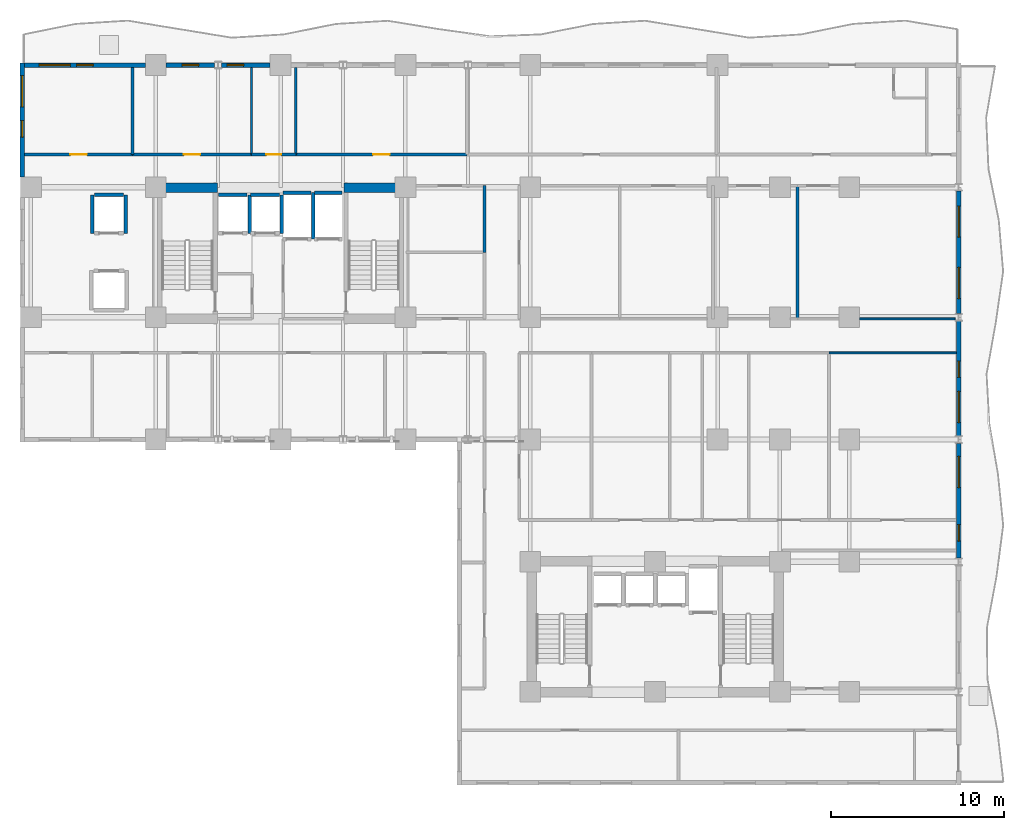
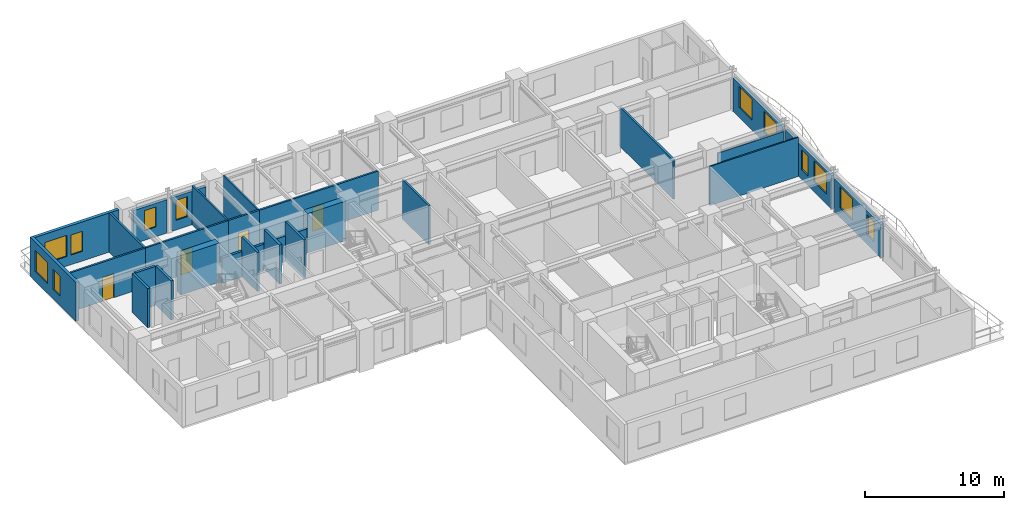
# One storey, part 6 of 11: 30 walls, 12 windows, 4 doors, 16 openings.
"""IFC4 building model written with IfcOpenShell, lengths in metres."""

from ifc_helpers import new_model, si_unit, direction, frame, frame_2d, origin, place, context, subcontext, project, spatial, rectangle, extrude, material, layer, layer_set, type_object, element, fill, save


model = new_model("IFC4")

# Units and contexts
model_context = context("Model", 3, precision=1e-05, world=origin(), true_north=direction((0.0, 1.0)))
body_context = subcontext(model_context, "Body", "Model", "MODEL_VIEW")
ifc_project = project(units=[si_unit("LENGTHUNIT", "METRE"), si_unit("AREAUNIT", "SQUARE_METRE"), si_unit("VOLUMEUNIT", "CUBIC_METRE"), si_unit("PLANEANGLEUNIT", "RADIAN"), si_unit("MASSUNIT", "GRAM", prefix="KILO")], contexts=[model_context])

# Site, building, storey
site_placement = place(None, origin())
site = spatial("IfcSite", under=ifc_project, at=site_placement, CompositionType="ELEMENT")
building_placement = place(site_placement, origin())
building = spatial("IfcBuilding", under=site, at=building_placement, Name="Kaliganga Portal Commons", CompositionType="ELEMENT")
storey_placement = place(building_placement, frame((0.0, 0.0, 89.699951171875)))
storey = spatial("IfcBuildingStorey", under=building, at=storey_placement, Name="L22", CompositionType="ELEMENT", Elevation=89.699951171875)

# Walls
ifc_material_1 = material(Name="Concrete C60/75", Category="concrete")
ifc_layer_1 = layer(ifc_material_1, 0.550048828125)
ifc_layer_set_1 = layer_set([ifc_layer_1], Name="Concrete C60/75")
wall_type_1 = type_object("IfcWallType", Name="WL-CORE-550", PredefinedType="SHEAR", material=ifc_layer_set_1)
for number, where, z_axis, x_axis, name in (
    (1, (14.75, 36.125, 0.0), (0.0, 0.0, 1.0), (1.0, 0.0, 0.0), "Core A N-West Shear Wall L22"),
    (2, (25.25, 36.125, 0.0), (0.0, 0.0, 1.0), (1.0, 0.0, 0.0), "Core A N-East Shear Wall L22"),
):
    element("IfcWall", number, at=place(storey_placement, frame(where, z_axis=z_axis, x_axis=x_axis)), inside=storey, type_object=wall_type_1, Name=name, PredefinedType="SHEAR", context=body_context, shape_type="SweptSolid", body=[
        extrude(rectangle(XDim=3.199951171875, YDim=0.550048828125, at=frame_2d((1.60009765625, 0.0))), origin(), (0.0, 0.0, 1.0), 3.449951171875),
    ])

# Wall, openings, windows
ifc_material_2 = material(Name="Insulated Aluminium-Clad Spandrel Assembly", Category="aluminium")
ifc_layer_2 = layer(ifc_material_2, 0.260009765625)
ifc_layer_set_2 = layer_set([ifc_layer_2], Name="Insulated Aluminium-Clad Spandrel Assembly")
wall_type_2 = type_object("IfcWallType", Name="WL-EXT-SPAND-260", PredefinedType="STANDARD", material=ifc_layer_set_2)
wall_1_placement = place(storey_placement, frame((60.699951171875, 21.384033203125, 0.0), z_axis=(0.0, 0.0, 1.0), x_axis=(0.0, -1.0, 0.0)))
wall_1 = element("IfcWall", 3, at=wall_1_placement, inside=storey, type_object=wall_type_2, Name="Exterior Envelope Wall L22 P1-E01-S3", PredefinedType="STANDARD", context=body_context, shape_type="SweptSolid", body=[
    extrude(rectangle(XDim=6.617919921875, YDim=0.260009765625, at=frame_2d((3.30908203125, 0.0))), origin(), (0.0, 0.0, 1.0), 2.929931640625),
])
opening_1_placement = place(wall_1_placement, frame((0.75439453125, 0.0, 0.85009765625)))
opening_1 = element("IfcOpeningElement", 4, at=opening_1_placement, cuts=wall_1, Name="Opening W-01", PredefinedType="OPENING", context=body_context, shape_type="SweptSolid", body=[
    extrude(rectangle(XDim=1.800048828125, YDim=1.85009765625, at=frame_2d((0.89990234375, 0.925048828125))), frame((0.0, 0.14013671875, 0.0), z_axis=(0.0, -1.0, 0.0), x_axis=(1.0, 0.0, 0.0)), (0.0, 0.0, 1.0), 0.280029296875),
])
opening_2_placement = place(wall_1_placement, frame((4.68701171875, 0.0, 0.85009765625)))
opening_2 = element("IfcOpeningElement", 5, at=opening_2_placement, cuts=wall_1, Name="Opening W-04", PredefinedType="OPENING", context=body_context, shape_type="SweptSolid", body=[
    extrude(rectangle(XDim=0.949951171875, YDim=1.75, at=frame_2d((0.47509765625, 0.875))), frame((0.0, 0.14013671875, 0.0), z_axis=(0.0, -1.0, 0.0), x_axis=(1.0, 0.0, 0.0)), (0.0, 0.0, 1.0), 0.280029296875),
])
ifc_material_3 = material(Name="Thermally Broken Aluminium and Low-E Double Glazing", Category="aluminium")
window_type_1 = type_object("IfcWindowType", Name="WIN-NARROW-950", PartitioningType="SINGLE_PANEL", PredefinedType="WINDOW", material=ifc_material_3)
window_1_placement = place(opening_2_placement, origin())
window_1 = element("IfcWindow", 6, at=window_1_placement, inside=storey, type_object=window_type_1, Name="Facade Window L22-P1E01S3-N10", OverallHeight=1.75, OverallWidth=0.949951171875, PartitioningType="SINGLE_PANEL", PredefinedType="WINDOW", context=body_context, shape_type="SweptSolid", body=[
    extrude(rectangle(XDim=0.949951171875, YDim=1.75, at=frame_2d((0.47509765625, 0.875))), frame((0.0, 0.030029296875, 0.0), z_axis=(0.0, -1.0, 0.0), x_axis=(1.0, 0.0, 0.0)), (0.0, 0.0, 1.0), 0.06005859375),
])
fill(opening_2, window_1)
window_type_2 = type_object("IfcWindowType", Name="WIN-STD-1800", PartitioningType="DOUBLE_PANEL_VERTICAL", PredefinedType="WINDOW", material=ifc_material_3)
window_2_placement = place(opening_1_placement, origin())
window_2 = element("IfcWindow", 7, at=window_2_placement, inside=storey, type_object=window_type_2, Name="Facade Window L22-P1E01S3-00", OverallHeight=1.85009765625, OverallWidth=1.800048828125, PartitioningType="SINGLE_PANEL", PredefinedType="WINDOW", context=body_context, shape_type="SweptSolid", body=[
    extrude(rectangle(XDim=1.800048828125, YDim=1.85009765625, at=frame_2d((0.89990234375, 0.925048828125))), frame((0.0, 0.030029296875, 0.0), z_axis=(0.0, -1.0, 0.0), x_axis=(1.0, 0.0, 0.0)), (0.0, 0.0, 1.0), 0.06005859375),
])
fill(opening_1, window_2)

wall_2_placement = place(storey_placement, frame((60.699951171875, 28.43408203125, 0.0), z_axis=(0.0, 0.0, 1.0), x_axis=(0.0, -1.0, 0.0)))
wall_2 = element("IfcWall", 8, at=wall_2_placement, inside=storey, type_object=wall_type_2, Name="Exterior Envelope Wall L22 P1-E01-S4", PredefinedType="STANDARD", context=body_context, shape_type="SweptSolid", body=[
    extrude(rectangle(XDim=6.6181640625, YDim=0.260009765625, at=frame_2d((3.30908203125, 0.0))), origin(), (0.0, 0.0, 1.0), 2.929931640625),
])
opening_3_placement = place(wall_2_placement, frame((4.0634765625, 0.0, 0.85009765625)))
opening_3 = element("IfcOpeningElement", 9, at=opening_3_placement, cuts=wall_2, Name="Opening W-01", PredefinedType="OPENING", context=body_context, shape_type="SweptSolid", body=[
    extrude(rectangle(XDim=1.800048828125, YDim=1.85009765625, at=frame_2d((0.89990234375, 0.925048828125))), frame((0.0, 0.14013671875, 0.0), z_axis=(0.0, -1.0, 0.0), x_axis=(1.0, 0.0, 0.0)), (0.0, 0.0, 1.0), 0.280029296875),
])
opening_4_placement = place(wall_2_placement, frame((2.3046875, 0.0, 0.85009765625)))
opening_4 = element("IfcOpeningElement", 10, at=opening_4_placement, cuts=wall_2, Name="Opening W-04", PredefinedType="OPENING", context=body_context, shape_type="SweptSolid", body=[
    extrude(rectangle(XDim=0.949951171875, YDim=1.75, at=frame_2d((0.47509765625, 0.875))), frame((0.0, 0.14013671875, 0.0), z_axis=(0.0, -1.0, 0.0), x_axis=(1.0, 0.0, 0.0)), (0.0, 0.0, 1.0), 0.280029296875),
])
window_3_placement = place(opening_4_placement, origin())
window_3 = element("IfcWindow", 11, at=window_3_placement, inside=storey, type_object=window_type_1, Name="Facade Window L22-P1E01S4-N5", OverallHeight=1.75, OverallWidth=0.949951171875, PartitioningType="SINGLE_PANEL", PredefinedType="WINDOW", context=body_context, shape_type="SweptSolid", body=[
    extrude(rectangle(XDim=0.949951171875, YDim=1.75, at=frame_2d((0.47509765625, 0.875))), frame((0.0, 0.030029296875, 0.0), z_axis=(0.0, -1.0, 0.0), x_axis=(1.0, 0.0, 0.0)), (0.0, 0.0, 1.0), 0.06005859375),
])
fill(opening_4, window_3)
window_4_placement = place(opening_3_placement, origin())
window_4 = element("IfcWindow", 12, at=window_4_placement, inside=storey, type_object=window_type_2, Name="Facade Window L22-P1E01S4-01", OverallHeight=1.85009765625, OverallWidth=1.800048828125, PartitioningType="SINGLE_PANEL", PredefinedType="WINDOW", context=body_context, shape_type="SweptSolid", body=[
    extrude(rectangle(XDim=1.800048828125, YDim=1.85009765625, at=frame_2d((0.89990234375, 0.925048828125))), frame((0.0, 0.030029296875, 0.0), z_axis=(0.0, -1.0, 0.0), x_axis=(1.0, 0.0, 0.0)), (0.0, 0.0, 1.0), 0.06005859375),
])
fill(opening_3, window_4)

wall_3_placement = place(storey_placement, frame((60.699951171875, 35.93408203125, 0.0), z_axis=(0.0, 0.0, 1.0), x_axis=(0.0, -1.0, 0.0)))
wall_3 = element("IfcWall", 13, at=wall_3_placement, inside=storey, type_object=wall_type_2, Name="Exterior Envelope Wall L22 P1-E01-S5", PredefinedType="STANDARD", context=body_context, shape_type="SweptSolid", body=[
    extrude(rectangle(XDim=7.068115234375, YDim=0.260009765625, at=frame_2d((3.5341796875, 0.0))), origin(), (0.0, 0.0, 1.0), 2.929931640625),
])
opening_5_placement = place(wall_3_placement, frame((0.866943359375, 0.0, 0.85009765625)))
opening_5 = element("IfcOpeningElement", 14, at=opening_5_placement, cuts=wall_3, Name="Opening W-01", PredefinedType="OPENING", context=body_context, shape_type="SweptSolid", body=[
    extrude(rectangle(XDim=1.800048828125, YDim=1.85009765625, at=frame_2d((0.89990234375, 0.925048828125))), frame((0.0, 0.14013671875, 0.0), z_axis=(0.0, -1.0, 0.0), x_axis=(1.0, 0.0, 0.0)), (0.0, 0.0, 1.0), 0.280029296875),
])
opening_6_placement = place(wall_3_placement, frame((4.40087890625, 0.0, 0.85009765625)))
opening_6 = element("IfcOpeningElement", 15, at=opening_6_placement, cuts=wall_3, Name="Opening W-01", PredefinedType="OPENING", context=body_context, shape_type="SweptSolid", body=[
    extrude(rectangle(XDim=1.800048828125, YDim=1.85009765625, at=frame_2d((0.89990234375, 0.925048828125))), frame((0.0, 0.14013671875, 0.0), z_axis=(0.0, -1.0, 0.0), x_axis=(1.0, 0.0, 0.0)), (0.0, 0.0, 1.0), 0.280029296875),
])
window_5_placement = place(opening_5_placement, origin())
window_5 = element("IfcWindow", 16, at=window_5_placement, inside=storey, type_object=window_type_2, Name="Facade Window L22-P1E01S5-00", OverallHeight=1.85009765625, OverallWidth=1.800048828125, PartitioningType="SINGLE_PANEL", PredefinedType="WINDOW", context=body_context, shape_type="SweptSolid", body=[
    extrude(rectangle(XDim=1.800048828125, YDim=1.85009765625, at=frame_2d((0.89990234375, 0.925048828125))), frame((0.0, 0.030029296875, 0.0), z_axis=(0.0, -1.0, 0.0), x_axis=(1.0, 0.0, 0.0)), (0.0, 0.0, 1.0), 0.06005859375),
])
fill(opening_5, window_5)
window_6_placement = place(opening_6_placement, origin())
window_6 = element("IfcWindow", 17, at=window_6_placement, inside=storey, type_object=window_type_2, Name="Facade Window L22-P1E01S5-01", OverallHeight=1.85009765625, OverallWidth=1.800048828125, PartitioningType="SINGLE_PANEL", PredefinedType="WINDOW", context=body_context, shape_type="SweptSolid", body=[
    extrude(rectangle(XDim=1.800048828125, YDim=1.85009765625, at=frame_2d((0.89990234375, 0.925048828125))), frame((0.0, 0.030029296875, 0.0), z_axis=(0.0, -1.0, 0.0), x_axis=(1.0, 0.0, 0.0)), (0.0, 0.0, 1.0), 0.06005859375),
])
fill(opening_6, window_6)

# Wall, opening, window
wall_4_placement = place(storey_placement, frame((18.20556640625, 43.199951171875, 0.0), z_axis=(0.0, 0.0, 1.0), x_axis=(1.0, 0.0, 0.0)))
wall_4 = element("IfcWall", 18, at=wall_4_placement, inside=storey, type_object=wall_type_2, Name="Exterior Envelope Wall L22 P1-E02-S7", PredefinedType="STANDARD", context=body_context, shape_type="SweptSolid", body=[
    extrude(rectangle(XDim=2.79345703125, YDim=0.260009765625, at=frame_2d((1.396728515625, 0.0))), origin(), (0.0, 0.0, 1.0), 2.929931640625),
])
opening_7_placement = place(wall_4_placement, frame((0.30712890625, 0.0, 0.85009765625)))
opening_7 = element("IfcOpeningElement", 19, at=opening_7_placement, cuts=wall_4, Name="Opening W-04", PredefinedType="OPENING", context=body_context, shape_type="SweptSolid", body=[
    extrude(rectangle(XDim=0.949951171875, YDim=1.75, at=frame_2d((0.47509765625, 0.875))), frame((0.0, 0.14013671875, 0.0), z_axis=(0.0, -1.0, 0.0), x_axis=(1.0, 0.0, 0.0)), (0.0, 0.0, 1.0), 0.280029296875),
])
window_7_placement = place(opening_7_placement, origin())
window_7 = element("IfcWindow", 20, at=window_7_placement, inside=storey, type_object=window_type_1, Name="Facade Window L22-P1E02S7-N3", OverallHeight=1.75, OverallWidth=0.949951171875, PartitioningType="SINGLE_PANEL", PredefinedType="WINDOW", context=body_context, shape_type="SweptSolid", body=[
    extrude(rectangle(XDim=0.949951171875, YDim=1.75, at=frame_2d((0.47509765625, 0.875))), frame((0.0, 0.030029296875, 0.0), z_axis=(0.0, -1.0, 0.0), x_axis=(1.0, 0.0, 0.0)), (0.0, 0.0, 1.0), 0.06005859375),
])
fill(opening_7, window_7)

wall_5_placement = place(storey_placement, frame((15.0009765625, 43.199951171875, 0.0), z_axis=(0.0, 0.0, 1.0), x_axis=(1.0, 0.0, 0.0)))
wall_5 = element("IfcWall", 21, at=wall_5_placement, inside=storey, type_object=wall_type_2, Name="Exterior Envelope Wall L22 P1-E02-S8", PredefinedType="STANDARD", context=body_context, shape_type="SweptSolid", body=[
    extrude(rectangle(XDim=2.79345703125, YDim=0.260009765625, at=frame_2d((1.396728515625, 0.0))), origin(), (0.0, 0.0, 1.0), 2.929931640625),
])
opening_8_placement = place(wall_5_placement, frame((0.921630859375, 0.0, 0.85009765625)))
opening_8 = element("IfcOpeningElement", 22, at=opening_8_placement, cuts=wall_5, Name="Opening W-04", PredefinedType="OPENING", context=body_context, shape_type="SweptSolid", body=[
    extrude(rectangle(XDim=0.949951171875, YDim=1.75, at=frame_2d((0.47509765625, 0.875))), frame((0.0, 0.14013671875, 0.0), z_axis=(0.0, -1.0, 0.0), x_axis=(1.0, 0.0, 0.0)), (0.0, 0.0, 1.0), 0.280029296875),
])
window_8_placement = place(opening_8_placement, origin())
window_8 = element("IfcWindow", 23, at=window_8_placement, inside=storey, type_object=window_type_1, Name="Facade Window L22-P1E02S8-00", OverallHeight=1.75, OverallWidth=0.949951171875, PartitioningType="SINGLE_PANEL", PredefinedType="WINDOW", context=body_context, shape_type="SweptSolid", body=[
    extrude(rectangle(XDim=0.949951171875, YDim=1.75, at=frame_2d((0.47509765625, 0.875))), frame((0.0, 0.030029296875, 0.0), z_axis=(0.0, -1.0, 0.0), x_axis=(1.0, 0.0, 0.0)), (0.0, 0.0, 1.0), 0.06005859375),
])
fill(opening_8, window_8)

# Wall, openings, windows
wall_6_placement = place(storey_placement, frame((6.8349609375, 43.199951171875, 0.0), z_axis=(0.0, 0.0, 1.0), x_axis=(1.0, 0.0, 0.0)))
wall_6 = element("IfcWall", 24, at=wall_6_placement, inside=storey, type_object=wall_type_2, Name="Exterior Envelope Wall L22 P1-E02-S9", PredefinedType="STANDARD", context=body_context, shape_type="SweptSolid", body=[
    extrude(rectangle(XDim=6.964111328125, YDim=0.260009765625, at=frame_2d((3.48193359375, 0.0))), origin(), (0.0, 0.0, 1.0), 3.429931640625),
])
opening_9_placement = place(wall_6_placement, frame((0.841064453125, 0.0, 0.85009765625)))
opening_9 = element("IfcOpeningElement", 25, at=opening_9_placement, cuts=wall_6, Name="Opening W-01", PredefinedType="OPENING", context=body_context, shape_type="SweptSolid", body=[
    extrude(rectangle(XDim=1.800048828125, YDim=1.85009765625, at=frame_2d((0.89990234375, 0.925048828125))), frame((0.0, 0.14013671875, 0.0), z_axis=(0.0, -1.0, 0.0), x_axis=(1.0, 0.0, 0.0)), (0.0, 0.0, 1.0), 0.280029296875),
])
opening_10_placement = place(wall_6_placement, frame((3.007080078125, 0.0, 0.85009765625)))
opening_10 = element("IfcOpeningElement", 26, at=opening_10_placement, cuts=wall_6, Name="Opening W-04", PredefinedType="OPENING", context=body_context, shape_type="SweptSolid", body=[
    extrude(rectangle(XDim=0.949951171875, YDim=1.75, at=frame_2d((0.47509765625, 0.875))), frame((0.0, 0.14013671875, 0.0), z_axis=(0.0, -1.0, 0.0), x_axis=(1.0, 0.0, 0.0)), (0.0, 0.0, 1.0), 0.280029296875),
])
window_9_placement = place(opening_10_placement, origin())
window_9 = element("IfcWindow", 27, at=window_9_placement, inside=storey, type_object=window_type_1, Name="Facade Window L22-P1E02S9-N0", OverallHeight=1.75, OverallWidth=0.949951171875, PartitioningType="SINGLE_PANEL", PredefinedType="WINDOW", context=body_context, shape_type="SweptSolid", body=[
    extrude(rectangle(XDim=0.949951171875, YDim=1.75, at=frame_2d((0.47509765625, 0.875))), frame((0.0, 0.030029296875, 0.0), z_axis=(0.0, -1.0, 0.0), x_axis=(1.0, 0.0, 0.0)), (0.0, 0.0, 1.0), 0.06005859375),
])
fill(opening_10, window_9)
window_10_placement = place(opening_9_placement, origin())
window_10 = element("IfcWindow", 28, at=window_10_placement, inside=storey, type_object=window_type_2, Name="Facade Window L22-P1E02S9-00", OverallHeight=1.85009765625, OverallWidth=1.800048828125, PartitioningType="SINGLE_PANEL", PredefinedType="WINDOW", context=body_context, shape_type="SweptSolid", body=[
    extrude(rectangle(XDim=1.800048828125, YDim=1.85009765625, at=frame_2d((0.89990234375, 0.925048828125))), frame((0.0, 0.030029296875, 0.0), z_axis=(0.0, -1.0, 0.0), x_axis=(1.0, 0.0, 0.0)), (0.0, 0.0, 1.0), 0.06005859375),
])
fill(opening_9, window_10)

wall_7_placement = place(storey_placement, frame((6.699951171875, 36.7509765625, 0.0), z_axis=(0.0, 0.0, 1.0), x_axis=(0.0, 1.0, 0.0)))
wall_7 = element("IfcWall", 29, at=wall_7_placement, inside=storey, type_object=wall_type_2, Name="Exterior Envelope Wall L22 P1-E03-S1", PredefinedType="STANDARD", context=body_context, shape_type="SweptSolid", body=[
    extrude(rectangle(XDim=6.5791015625, YDim=0.260009765625, at=frame_2d((3.28955078125, 0.0))), origin(), (0.0, 0.0, 1.0), 3.429931640625),
])
opening_11_placement = place(wall_7_placement, frame((4.0341796875, 0.0, 0.85009765625)))
opening_11 = element("IfcOpeningElement", 30, at=opening_11_placement, cuts=wall_7, Name="Opening W-01", PredefinedType="OPENING", context=body_context, shape_type="SweptSolid", body=[
    extrude(rectangle(XDim=1.800048828125, YDim=1.85009765625, at=frame_2d((0.89990234375, 0.925048828125))), frame((0.0, 0.14013671875, 0.0), z_axis=(0.0, -1.0, 0.0), x_axis=(1.0, 0.0, 0.0)), (0.0, 0.0, 1.0), 0.280029296875),
])
opening_12_placement = place(wall_7_placement, frame((2.2880859375, 0.0, 0.85009765625)))
opening_12 = element("IfcOpeningElement", 31, at=opening_12_placement, cuts=wall_7, Name="Opening W-04", PredefinedType="OPENING", context=body_context, shape_type="SweptSolid", body=[
    extrude(rectangle(XDim=0.949951171875, YDim=1.75, at=frame_2d((0.47509765625, 0.875))), frame((0.0, 0.14013671875, 0.0), z_axis=(0.0, -1.0, 0.0), x_axis=(1.0, 0.0, 0.0)), (0.0, 0.0, 1.0), 0.280029296875),
])
window_11_placement = place(opening_12_placement, origin())
window_11 = element("IfcWindow", 32, at=window_11_placement, inside=storey, type_object=window_type_1, Name="Facade Window L22-P1E03S1-N5", OverallHeight=1.75, OverallWidth=0.949951171875, PartitioningType="SINGLE_PANEL", PredefinedType="WINDOW", context=body_context, shape_type="SweptSolid", body=[
    extrude(rectangle(XDim=0.949951171875, YDim=1.75, at=frame_2d((0.47509765625, 0.875))), frame((0.0, 0.030029296875, 0.0), z_axis=(0.0, -1.0, 0.0), x_axis=(1.0, 0.0, 0.0)), (0.0, 0.0, 1.0), 0.06005859375),
])
fill(opening_12, window_11)
window_12_placement = place(opening_11_placement, origin())
window_12 = element("IfcWindow", 33, at=window_12_placement, inside=storey, type_object=window_type_2, Name="Facade Window L22-P1E03S1-01", OverallHeight=1.85009765625, OverallWidth=1.800048828125, PartitioningType="SINGLE_PANEL", PredefinedType="WINDOW", context=body_context, shape_type="SweptSolid", body=[
    extrude(rectangle(XDim=1.800048828125, YDim=1.85009765625, at=frame_2d((0.89990234375, 0.925048828125))), frame((0.0, 0.030029296875, 0.0), z_axis=(0.0, -1.0, 0.0), x_axis=(1.0, 0.0, 0.0)), (0.0, 0.0, 1.0), 0.06005859375),
])
fill(opening_11, window_12)

# Wall, opening, door
ifc_material_4 = material(Name="Fire-Rated Gypsum Board on Steel Stud", Category="steel")
ifc_layer_3 = layer(ifc_material_4, 0.14990234375)
ifc_layer_set_3 = layer_set([ifc_layer_3], Name="Fire-Rated Gypsum Board on Steel Stud")
wall_type_3 = type_object("IfcWallType", Name="WL-PART-CORR-150", PredefinedType="PARTITIONING", material=ifc_layer_set_3)
wall_8_placement = place(storey_placement, frame((22.47998046875, 38.0400390625, 0.0), z_axis=(0.0, 0.0, 1.0), x_axis=(1.0, 0.0, 0.0)))
wall_8 = element("IfcWall", 34, at=wall_8_placement, inside=storey, type_object=wall_type_3, Name="Interior Partition L22-012", PredefinedType="PARTITIONING", context=body_context, shape_type="SweptSolid", body=[
    extrude(rectangle(XDim=9.860107421875, YDim=0.14990234375, at=frame_2d((4.93017578125, 0.0))), origin(), (0.0, 0.0, 1.0), 3.429931640625),
])
opening_13_placement = place(wall_8_placement, frame((4.455078125, 0.0, 0.0)))
opening_13 = element("IfcOpeningElement", 35, at=opening_13_placement, cuts=wall_8, Name="Opening UD-01", PredefinedType="OPENING", context=body_context, shape_type="SweptSolid", body=[
    extrude(rectangle(XDim=0.949951171875, YDim=2.10009765625, at=frame_2d((0.47509765625, 1.050048828125))), frame((0.0, 0.0849609375, 0.0), z_axis=(0.0, -1.0, 0.0), x_axis=(1.0, 0.0, 0.0)), (0.0, 0.0, 1.0), 0.169921875),
])
ifc_material_5 = material(Name="Solid-Core Timber Acoustic Fire Door", Category="wood")
door_type_1 = type_object("IfcDoorType", Name="DR-UNIT-950", OperationType="NOTDEFINED", PredefinedType="DOOR", material=ifc_material_5)
door_1_placement = place(opening_13_placement, origin())
door_1 = element("IfcDoor", 36, at=door_1_placement, inside=storey, type_object=door_type_1, Name="Interior Door L22-AN04", OperationType="SINGLE_SWING_RIGHT", OverallHeight=2.10009765625, OverallWidth=0.949951171875, PredefinedType="DOOR", context=body_context, shape_type="SweptSolid", body=[
    extrude(rectangle(XDim=0.949951171875, YDim=2.10009765625, at=frame_2d((0.47509765625, 1.050048828125))), frame((0.0, 0.02490234375, 0.0), z_axis=(0.0, -1.0, 0.0), x_axis=(1.0, 0.0, 0.0)), (0.0, 0.0, 1.0), 0.050048828125),
])
fill(opening_13, door_1)

wall_9_placement = place(storey_placement, frame((13.06005859375, 38.0400390625, 0.0), z_axis=(0.0, 0.0, 1.0), x_axis=(1.0, 0.0, 0.0)))
wall_9 = element("IfcWall", 37, at=wall_9_placement, inside=storey, type_object=wall_type_3, Name="Interior Partition L22-020", PredefinedType="PARTITIONING", context=body_context, shape_type="SweptSolid", body=[
    extrude(rectangle(XDim=6.85986328125, YDim=0.14990234375, at=frame_2d((3.429931640625, 0.0))), origin(), (0.0, 0.0, 1.0), 3.429931640625),
])
opening_14_placement = place(wall_9_placement, frame((2.955078125, 0.0, 0.0)))
opening_14 = element("IfcOpeningElement", 38, at=opening_14_placement, cuts=wall_9, Name="Opening UD-01", PredefinedType="OPENING", context=body_context, shape_type="SweptSolid", body=[
    extrude(rectangle(XDim=0.949951171875, YDim=2.10009765625, at=frame_2d((0.47509765625, 1.050048828125))), frame((0.0, 0.0849609375, 0.0), z_axis=(0.0, -1.0, 0.0), x_axis=(1.0, 0.0, 0.0)), (0.0, 0.0, 1.0), 0.169921875),
])
door_2_placement = place(opening_14_placement, origin())
door_2 = element("IfcDoor", 39, at=door_2_placement, inside=storey, type_object=door_type_1, Name="Interior Door L22-AN02", OperationType="SINGLE_SWING_LEFT", OverallHeight=2.10009765625, OverallWidth=0.949951171875, PredefinedType="DOOR", context=body_context, shape_type="SweptSolid", body=[
    extrude(rectangle(XDim=0.949951171875, YDim=2.10009765625, at=frame_2d((0.47509765625, 1.050048828125))), frame((0.0, 0.02490234375, 0.0), z_axis=(0.0, -1.0, 0.0), x_axis=(1.0, 0.0, 0.0)), (0.0, 0.0, 1.0), 0.050048828125),
])
fill(opening_14, door_2)

wall_10_placement = place(storey_placement, frame((6.83203125, 38.0400390625, 0.0), z_axis=(0.0, 0.0, 1.0), x_axis=(1.0, 0.0, 0.0)))
wall_10 = element("IfcWall", 40, at=wall_10_placement, inside=storey, type_object=wall_type_3, Name="Interior Partition L22-021", PredefinedType="PARTITIONING", context=body_context, shape_type="SweptSolid", body=[
    extrude(rectangle(XDim=6.22802734375, YDim=0.14990234375, at=frame_2d((3.114013671875, 0.0))), origin(), (0.0, 0.0, 1.0), 3.429931640625),
])
opening_15_placement = place(wall_10_placement, frame((2.638916015625, 0.0, 0.0)))
opening_15 = element("IfcOpeningElement", 41, at=opening_15_placement, cuts=wall_10, Name="Opening UD-01", PredefinedType="OPENING", context=body_context, shape_type="SweptSolid", body=[
    extrude(rectangle(XDim=0.949951171875, YDim=2.10009765625, at=frame_2d((0.47509765625, 1.050048828125))), frame((0.0, 0.0849609375, 0.0), z_axis=(0.0, -1.0, 0.0), x_axis=(1.0, 0.0, 0.0)), (0.0, 0.0, 1.0), 0.169921875),
])
door_3_placement = place(opening_15_placement, origin())
door_3 = element("IfcDoor", 42, at=door_3_placement, inside=storey, type_object=door_type_1, Name="Interior Door L22-AN01", OperationType="SINGLE_SWING_RIGHT", OverallHeight=2.10009765625, OverallWidth=0.949951171875, PredefinedType="DOOR", context=body_context, shape_type="SweptSolid", body=[
    extrude(rectangle(XDim=0.949951171875, YDim=2.10009765625, at=frame_2d((0.47509765625, 1.050048828125))), frame((0.0, 0.02490234375, 0.0), z_axis=(0.0, -1.0, 0.0), x_axis=(1.0, 0.0, 0.0)), (0.0, 0.0, 1.0), 0.050048828125),
])
fill(opening_15, door_3)

# Wall
wall_11_placement = place(storey_placement, frame((33.360107421875, 32.39990234375, 0.0), z_axis=(0.0, 0.0, 1.0), x_axis=(0.0, 1.0, 0.0)))
element("IfcWall", 43, at=wall_11_placement, inside=storey, type_object=wall_type_3, Name="Interior Partition L22-035", PredefinedType="PARTITIONING", context=body_context, shape_type="SweptSolid", body=[
    extrude(rectangle(XDim=3.840087890625, YDim=0.14990234375, at=frame_2d((1.919921875, 0.0))), origin(), (0.0, 0.0, 1.0), 3.429931640625),
])

# Wall, opening, door
wall_12_placement = place(storey_placement, frame((19.919921875, 38.0400390625, 0.0), z_axis=(0.0, 0.0, 1.0), x_axis=(1.0, 0.0, 0.0)))
wall_12 = element("IfcWall", 44, at=wall_12_placement, inside=storey, type_object=wall_type_3, Name="Interior Partition L22-040", PredefinedType="PARTITIONING", context=body_context, shape_type="SweptSolid", body=[
    extrude(rectangle(XDim=2.56005859375, YDim=0.14990234375, at=frame_2d((1.280029296875, 0.0))), origin(), (0.0, 0.0, 1.0), 3.429931640625),
])
opening_16_placement = place(wall_12_placement, frame((0.85498046875, 0.0, 0.0)))
opening_16 = element("IfcOpeningElement", 45, at=opening_16_placement, cuts=wall_12, Name="Opening WD-01", PredefinedType="OPENING", context=body_context, shape_type="SweptSolid", body=[
    extrude(rectangle(XDim=0.85009765625, YDim=2.0400390625, at=frame_2d((0.425048828125, 1.02001953125))), frame((0.0, 0.0849609375, 0.0), z_axis=(0.0, -1.0, 0.0), x_axis=(1.0, 0.0, 0.0)), (0.0, 0.0, 1.0), 0.169921875),
])
ifc_material_6 = material(Name="Moisture-Resistant Laminate Timber Door", Category="wood")
door_type_2 = type_object("IfcDoorType", Name="DR-WET-850", OperationType="NOTDEFINED", PredefinedType="DOOR", material=ifc_material_6)
door_4_placement = place(opening_16_placement, origin())
door_4 = element("IfcDoor", 46, at=door_4_placement, inside=storey, type_object=door_type_2, Name="Interior Door L22-AN03", OperationType="SINGLE_SWING_LEFT", OverallHeight=2.0400390625, OverallWidth=0.85009765625, PredefinedType="DOOR", context=body_context, shape_type="SweptSolid", body=[
    extrude(rectangle(XDim=0.85009765625, YDim=2.0400390625, at=frame_2d((0.425048828125, 1.02001953125))), frame((0.0, 0.02490234375, 0.0), z_axis=(0.0, -1.0, 0.0), x_axis=(1.0, 0.0, 0.0)), (0.0, 0.0, 1.0), 0.050048828125),
])
fill(opening_16, door_4)

# Walls
ifc_material_7 = material(Name="Moisture-Resistant Gypsum Partition", Category="gypsum")
ifc_layer_4 = layer(ifc_material_7, 0.114990234375)
ifc_layer_set_4 = layer_set([ifc_layer_4], Name="Moisture-Resistant Gypsum Partition")
wall_type_4 = type_object("IfcWallType", Name="WL-PART-ROOM-115", PredefinedType="PARTITIONING", material=ifc_layer_set_4)
wall_13_placement = place(storey_placement, frame((55.0, 28.56005859375, 0.0), z_axis=(0.0, 0.0, 1.0), x_axis=(1.0, 0.0, 0.0)))
element("IfcWall", 47, at=wall_13_placement, inside=storey, type_object=wall_type_4, Name="Interior Partition L22-053", PredefinedType="PARTITIONING", context=body_context, shape_type="SweptSolid", body=[
    extrude(rectangle(XDim=5.49560546875, YDim=0.114990234375, at=frame_2d((2.747802734375, 0.0))), origin(), (0.0, 0.0, 1.0), 2.780029296875),
])
wall_14_placement = place(storey_placement, frame((53.219970703125, 26.60009765625, 0.0), z_axis=(0.0, 0.0, 1.0), x_axis=(1.0, 0.0, 0.0)))
element("IfcWall", 48, at=wall_14_placement, inside=storey, type_object=wall_type_4, Name="Interior Partition L22-057", PredefinedType="PARTITIONING", context=body_context, shape_type="SweptSolid", body=[
    extrude(rectangle(XDim=7.34814453125, YDim=0.114990234375, at=frame_2d((3.674072265625, 0.0))), origin(), (0.0, 0.0, 1.0), 3.429931640625),
])
ifc_material_8 = material(Name="Twin-Stud Acoustic Gypsum Partition", Category="gypsum")
ifc_layer_5 = layer(ifc_material_8, 0.1650390625)
ifc_layer_set_5 = layer_set([ifc_layer_5], Name="Twin-Stud Acoustic Gypsum Partition")
wall_type_5 = type_object("IfcWallType", Name="WL-PART-UNIT-165", PredefinedType="PARTITIONING", material=ifc_layer_set_5)
wall_15_placement = place(storey_placement, frame((51.419921875, 28.56005859375, 0.0), z_axis=(0.0, 0.0, 1.0), x_axis=(0.0, 1.0, 0.0)))
element("IfcWall", 49, at=wall_15_placement, inside=storey, type_object=wall_type_5, Name="Interior Partition L22-056", PredefinedType="PARTITIONING", context=body_context, shape_type="SweptSolid", body=[
    extrude(rectangle(XDim=7.679931640625, YDim=0.1650390625, at=frame_2d((3.83984375, 0.0))), origin(), (0.0, 0.0, 1.0), 3.429931640625),
])
wall_16_placement = place(storey_placement, frame((13.06005859375, 38.0400390625, 0.0), z_axis=(0.0, 0.0, 1.0), x_axis=(0.0, 1.0, 0.0)))
element("IfcWall", 50, at=wall_16_placement, inside=storey, type_object=wall_type_5, Name="Interior Partition L22-060", PredefinedType="PARTITIONING", context=body_context, shape_type="SweptSolid", body=[
    extrude(rectangle(XDim=5.028076171875, YDim=0.1650390625, at=frame_2d((2.51416015625, 0.0))), origin(), (0.0, 0.0, 1.0), 3.429931640625),
])
ifc_material_9 = material(Name="Cement-Board Wet-Room Partition", Category="gypsum")
ifc_layer_6 = layer(ifc_material_9, 0.135009765625)
ifc_layer_set_6 = layer_set([ifc_layer_6], Name="Cement-Board Wet-Room Partition")
wall_type_6 = type_object("IfcWallType", Name="WL-PART-WET-135", PredefinedType="PARTITIONING", material=ifc_layer_set_6)
for number, where, z_axis, x_axis, name in (
    (51, (19.919921875, 38.0400390625, 0.0), (0.0, 0.0, 1.0), (0.0, 1.0, 0.0), "Interior Partition L22-061"),
    (52, (22.47998046875, 38.0400390625, 0.0), (0.0, 0.0, 1.0), (0.0, 1.0, 0.0), "Interior Partition L22-062"),
):
    element("IfcWall", number, at=place(storey_placement, frame(where, z_axis=z_axis, x_axis=x_axis)), inside=storey, type_object=wall_type_6, Name=name, PredefinedType="PARTITIONING", context=body_context, shape_type="SweptSolid", body=[
        extrude(rectangle(XDim=5.028076171875, YDim=0.135009765625, at=frame_2d((2.51416015625, 0.0))), origin(), (0.0, 0.0, 1.0), 3.429931640625),
    ])
ifc_material_10 = material(Name="Fire-Rated Shaftwall Masonry Assembly", Category="masonry")
ifc_layer_7 = layer(ifc_material_10, 0.199951171875)
ifc_layer_set_7 = layer_set([ifc_layer_7], Name="Fire-Rated Shaftwall Masonry Assembly")
wall_type_7 = type_object("IfcWallType", Name="WL-SHAFT-200", PredefinedType="PARTITIONING", material=ifc_layer_set_7)
wall_17_placement = place(storey_placement, frame((18.02490234375, 35.715087890625, 0.0), z_axis=(0.0, 0.0, 1.0), x_axis=(1.0, 0.0, 0.0)))
element("IfcWall", 53, at=wall_17_placement, inside=storey, type_object=wall_type_7, Name="Lift PL-A1 Hoistway Shaft Wall L22-N", PredefinedType="PARTITIONING", context=body_context, shape_type="SweptSolid", body=[
    extrude(rectangle(XDim=1.650146484375, YDim=0.199951171875, at=frame_2d((0.8251953125, 0.0))), origin(), (0.0, 0.0, 1.0), 2.22998046875),
])
wall_18_placement = place(storey_placement, frame((19.81494140625, 33.485107421875, 0.0), z_axis=(0.0, 0.0, 1.0), x_axis=(0.0, 1.0, 0.0)))
element("IfcWall", 54, at=wall_18_placement, inside=storey, type_object=wall_type_7, Name="Lift PL-A1 Hoistway Shaft Wall L22-E", PredefinedType="PARTITIONING", context=body_context, shape_type="SweptSolid", body=[
    extrude(rectangle(XDim=2.22998046875, YDim=0.199951171875, at=frame_2d((1.114990234375, 0.0))), origin(), (0.0, 0.0, 1.0), 3.429931640625),
])
wall_19_placement = place(storey_placement, frame((19.875, 35.715087890625, 0.0), z_axis=(0.0, 0.0, 1.0), x_axis=(1.0, 0.0, 0.0)))
element("IfcWall", 55, at=wall_19_placement, inside=storey, type_object=wall_type_7, Name="Lift PL-A2 Hoistway Shaft Wall L22-N", PredefinedType="PARTITIONING", context=body_context, shape_type="SweptSolid", body=[
    extrude(rectangle(XDim=1.64990234375, YDim=0.199951171875, at=frame_2d((0.824951171875, 0.0))), origin(), (0.0, 0.0, 1.0), 2.22998046875),
])
wall_20_placement = place(storey_placement, frame((21.6650390625, 33.485107421875, 0.0), z_axis=(0.0, 0.0, 1.0), x_axis=(0.0, 1.0, 0.0)))
element("IfcWall", 56, at=wall_20_placement, inside=storey, type_object=wall_type_7, Name="Lift PL-A2 Hoistway Shaft Wall L22-E", PredefinedType="PARTITIONING", context=body_context, shape_type="SweptSolid", body=[
    extrude(rectangle(XDim=2.22998046875, YDim=0.199951171875, at=frame_2d((1.114990234375, 0.0))), origin(), (0.0, 0.0, 1.0), 3.429931640625),
])
wall_21_placement = place(storey_placement, frame((10.875, 35.715087890625, 0.0), z_axis=(0.0, 0.0, 1.0), x_axis=(1.0, 0.0, 0.0)))
element("IfcWall", 57, at=wall_21_placement, inside=storey, type_object=wall_type_7, Name="Lift PL-OBS Hoistway Shaft Wall L22-N", PredefinedType="PARTITIONING", context=body_context, shape_type="SweptSolid", body=[
    extrude(rectangle(XDim=1.64990234375, YDim=0.199951171875, at=frame_2d((0.824951171875, 0.0))), origin(), (0.0, 0.0, 1.0), 3.429931640625),
])
for number, where, z_axis, x_axis, name in (
    (58, (10.735107421875, 33.485107421875, 0.0), (0.0, 0.0, 1.0), (0.0, 1.0, 0.0), "Lift PL-OBS Hoistway Shaft Wall L22-W"),
    (59, (12.6650390625, 33.485107421875, 0.0), (0.0, 0.0, 1.0), (0.0, 1.0, 0.0), "Lift PL-OBS Hoistway Shaft Wall L22-E"),
):
    element("IfcWall", number, at=place(storey_placement, frame(where, z_axis=z_axis, x_axis=x_axis)), inside=storey, type_object=wall_type_7, Name=name, PredefinedType="PARTITIONING", context=body_context, shape_type="SweptSolid", body=[
        extrude(rectangle(XDim=2.22998046875, YDim=0.199951171875, at=frame_2d((1.114990234375, 0.0))), origin(), (0.0, 0.0, 1.0), 3.429931640625),
    ])
wall_22_placement = place(storey_placement, frame((21.75, 35.840087890625, 0.0), z_axis=(0.0, 0.0, 1.0), x_axis=(1.0, 0.0, 0.0)))
element("IfcWall", 60, at=wall_22_placement, inside=storey, type_object=wall_type_7, Name="Lift FFL-1 Hoistway Shaft Wall L22-N", PredefinedType="PARTITIONING", context=body_context, shape_type="SweptSolid", body=[
    extrude(rectangle(XDim=1.60009765625, YDim=0.199951171875, at=frame_2d((0.800048828125, 0.0))), origin(), (0.0, 0.0, 1.0), 2.22998046875),
])
wall_23_placement = place(storey_placement, frame((23.489990234375, 33.159912109375, 0.0), z_axis=(0.0, 0.0, 1.0), x_axis=(0.0, 1.0, 0.0)))
element("IfcWall", 61, at=wall_23_placement, inside=storey, type_object=wall_type_7, Name="Lift FFL-1 Hoistway Shaft Wall L22-E", PredefinedType="PARTITIONING", context=body_context, shape_type="SweptSolid", body=[
    extrude(rectangle(XDim=2.68017578125, YDim=0.199951171875, at=frame_2d((1.340087890625, 0.0))), origin(), (0.0, 0.0, 1.0), 3.429931640625),
])
wall_24_placement = place(storey_placement, frame((23.550048828125, 35.840087890625, 0.0), z_axis=(0.0, 0.0, 1.0), x_axis=(1.0, 0.0, 0.0)))
element("IfcWall", 62, at=wall_24_placement, inside=storey, type_object=wall_type_7, Name="Lift FFL-2 Hoistway Shaft Wall L22-N", PredefinedType="PARTITIONING", context=body_context, shape_type="SweptSolid", body=[
    extrude(rectangle(XDim=1.599853515625, YDim=0.199951171875, at=frame_2d((0.7998046875, 0.0))), origin(), (0.0, 0.0, 1.0), 2.22998046875),
])

save(model, "model.ifc")
